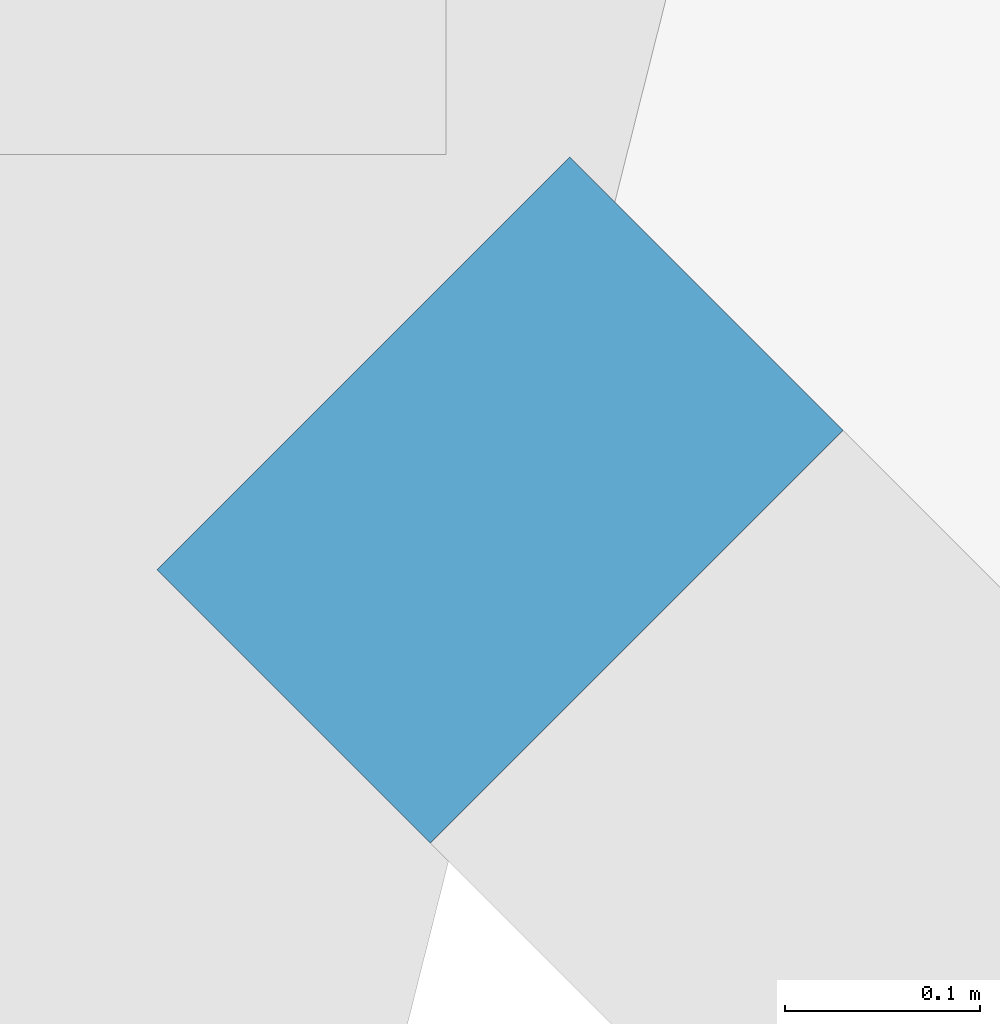
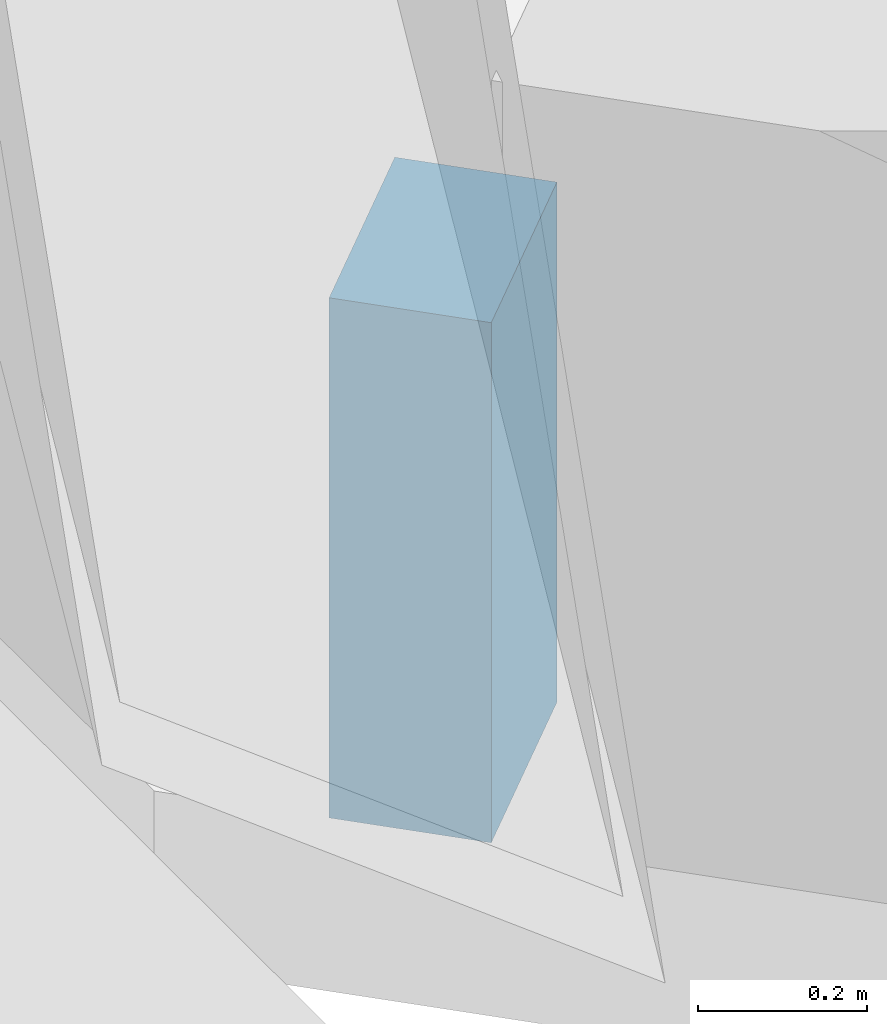
# One storey, part 15 of 20: 1 wall.
"""IFC4 building model written with IfcOpenShell, lengths in metres."""

from ifc_helpers import new_model, si_unit, direction, frame, frame_2d, origin, place, context, subcontext, project, spatial, rectangle, extrude, material, layer, layer_set, type_object, element, save


model = new_model("IFC4")

# Units and contexts
model_context = context("Model", 3, precision=1e-05, world=origin(), true_north=direction((0.0, 1.0)))
body_context = subcontext(model_context, "Body", "Model", "MODEL_VIEW")
ifc_project = project(units=[si_unit("LENGTHUNIT", "METRE"), si_unit("AREAUNIT", "SQUARE_METRE"), si_unit("VOLUMEUNIT", "CUBIC_METRE"), si_unit("PLANEANGLEUNIT", "RADIAN"), si_unit("MASSUNIT", "GRAM", prefix="KILO")], contexts=[model_context])

# Site, building, storey
site_placement = place(None, origin())
site = spatial("IfcSite", under=ifc_project, at=site_placement, CompositionType="ELEMENT")
building_placement = place(site_placement, origin())
building = spatial("IfcBuilding", under=site, at=building_placement, Name="Tuart Gate Housing", CompositionType="ELEMENT")
storey_placement = place(building_placement, frame((0.0, 0.0, 62.89990234375)))
storey = spatial("IfcBuildingStorey", under=building, at=storey_placement, Name="L17", CompositionType="ELEMENT", Elevation=62.89990234375)

# Wall
ifc_material = material(Name="Brick", Category="masonry")
ifc_layer = layer(ifc_material, 0.300048828125)
ifc_layer_set = layer_set([ifc_layer], Name="Brick parapet wall 300")
wall_type = type_object("IfcWallType", Name="Brick parapet wall 300", PredefinedType="PARAPET", material=ifc_layer_set)
wall_placement = place(storey_placement, frame((21.757568359375, 56.95458984375, 0.0), z_axis=(0.0, 0.0, 1.0), x_axis=(0.707106781187, -0.707106781187, 0.0)))
element("IfcWall", 1, at=wall_placement, inside=storey, type_object=wall_type, Name="Roof parapet A 4", PredefinedType="PARAPET", context=body_context, shape_type="SweptSolid", body=[
    extrude(rectangle(XDim=0.198486328125, YDim=0.300048828125, at=frame_2d((0.09912109375, 0.0))), origin(), (0.0, 0.0, 1.0), 0.75048828125),
])

save(model, "model.ifc")
